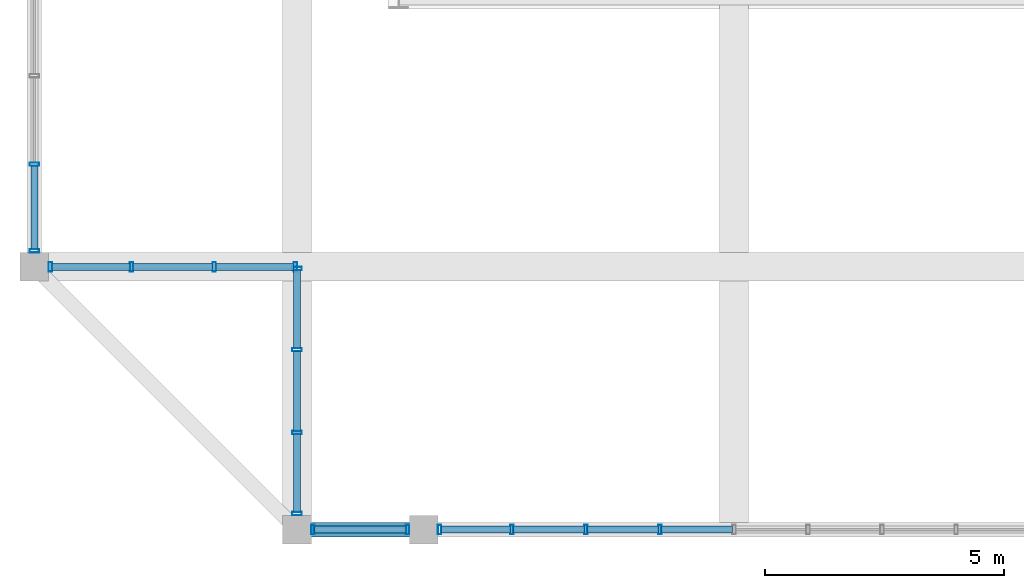
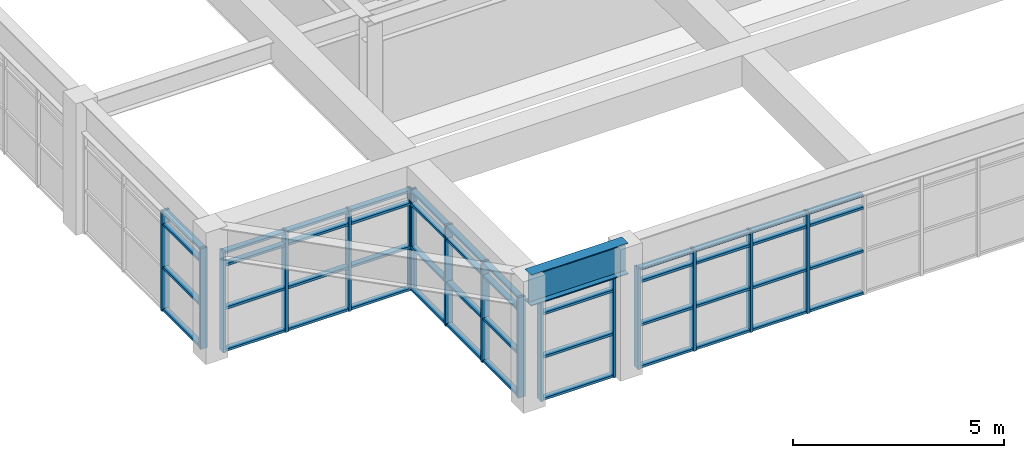
# One storey, part 2 of 28: 64 members, 1 beam, 5 elements without a shape of their own.
"""IFC4 building model written with IfcOpenShell, lengths in metres."""

from ifc_helpers import new_model, si_unit, direction, frame, origin, origin_2d, place, context, subcontext, project, spatial, hollow_rectangle, i_section, extrude, source, transform, mapped, material, layer, layer_set, material_profile, profile_set, type_object, element, aggregate, save


model = new_model("IFC4")

# Units and contexts
model_context = context("Model", 3, precision=1e-05, world=origin(), true_north=direction((0.0, 1.0)))
body_context = subcontext(model_context, "Body", "Model", "MODEL_VIEW")
ifc_project = project(units=[si_unit("LENGTHUNIT", "METRE"), si_unit("AREAUNIT", "SQUARE_METRE"), si_unit("VOLUMEUNIT", "CUBIC_METRE"), si_unit("PLANEANGLEUNIT", "RADIAN"), si_unit("MASSUNIT", "GRAM", prefix="KILO")], contexts=[model_context])

# Site, building, storey
site_placement = place(None, origin())
site = spatial("IfcSite", under=ifc_project, at=site_placement, CompositionType="ELEMENT")
building_placement = place(site_placement, origin())
building = spatial("IfcBuilding", under=site, at=building_placement, Name="Saelheon Loggia Tower", CompositionType="ELEMENT")
storey_placement = place(building_placement, frame((0.0, 0.0, 271.199951171875)))
storey = spatial("IfcBuildingStorey", under=building, at=storey_placement, Name="CR6", CompositionType="ELEMENT", Elevation=271.199951171875)

# Beam
ifc_material_1 = material(Name="Steel SM355", Category="steel")
ifc_material_profile_1 = material_profile(ifc_material_1, i_section(OverallWidth=0.300048828125, OverallDepth=0.89990234375, WebThickness=0.01611328125, FlangeThickness=0.028076171875, at=origin_2d()), Name="H-900x300x16x28")
ifc_profile_set_1 = profile_set([ifc_material_profile_1], Name="Steel SM355")
beam_type = type_object("IfcBeamType", Name="Beam_PoolGirder_Steel_H900", PredefinedType="BEAM", material=ifc_profile_set_1)
shared_shape_1 = source(origin(), body_context, "Body", "SweptSolid", [
    extrude(i_section(OverallWidth=0.300048828125, OverallDepth=0.89990234375, WebThickness=0.01611328125, FlangeThickness=0.028076171875, at=origin_2d()), origin(), (0.0, 0.0, 1.0), 2.64990234375),
])
beam_placement = place(storey_placement, frame((28.85009765625, 6.35009765625, 3.35009765625), z_axis=(1.0, 0.0, 0.0), x_axis=(0.0, 1.0, 0.0)))
element("IfcBeam", 1, at=beam_placement, inside=storey, type_object=beam_type, Name="CR6 CROWN FRAME Sill Girder 01", PredefinedType="BEAM", context=body_context, shape_type="MappedRepresentation", body=[
    mapped(shared_shape_1, transform((0.0, 0.0, 0.0), scale=1.0)),
])

# Curtain wall, members
ifc_material_2 = material(Name="Bronze-Anodised Aluminium and Fritted Ceramic Screen", Category="aluminium")
ifc_layer = layer(ifc_material_2, 0.219970703125)
ifc_layer_set = layer_set([ifc_layer], Name="Bronze-Anodised Aluminium and Fritted Ceramic Screen")
curtain_wall_type = type_object("IfcCurtainWallType", Name="CW_CrownScreen", PredefinedType="NOTDEFINED", material=ifc_layer_set)
curtain_wall_1_placement = place(storey_placement, origin())
curtain_wall_1 = element("IfcCurtainWall", 2, at=curtain_wall_1_placement, inside=storey, type_object=curtain_wall_type, Name="CR6 Crown Screen Curtain Wall 0-1", PredefinedType="NOTDEFINED")
ifc_material_3 = material(Name="Bronze-Anodised Aluminium 6063-T6", Category="aluminium")
ifc_material_profile_2 = material_profile(ifc_material_3, hollow_rectangle(XDim=0.070068359375, YDim=0.199951171875, WallThickness=0.0048828125, at=origin_2d()), Name="RHS-200x70x5")
ifc_profile_set_2 = profile_set([ifc_material_profile_2], Name="Bronze-Anodised Aluminium 6063-T6")
member_type_1 = type_object("IfcMemberType", Name="CW_CrownScreen_Mullion", PredefinedType="MULLION", material=ifc_profile_set_2)
shared_shape_2 = source(origin(), body_context, "Body", "SweptSolid", [
    extrude(hollow_rectangle(XDim=0.070068359375, YDim=0.199951171875, WallThickness=0.0048828125, at=origin_2d()), origin(), (0.0, 0.0, 1.0), 2.900146484375),
])
member_1_placement = place(storey_placement, frame((29.18505859375, 6.35009765625, 0.0), z_axis=(0.0, 0.0, 1.0), x_axis=(1.0, 0.0, 0.0)))
member_1 = element("IfcMember", 3, at=member_1_placement, type_object=member_type_1, Name="CW6 mullion 1", PredefinedType="MULLION", context=body_context, shape_type="MappedRepresentation", body=[
    mapped(shared_shape_2, transform((0.0, 0.0, 0.0), scale=1.0)),
])
member_2_placement = place(storey_placement, frame((31.1650390625, 6.35009765625, 0.0), z_axis=(0.0, 0.0, 1.0), x_axis=(1.0, 0.0, 0.0)))
member_2 = element("IfcMember", 4, at=member_2_placement, type_object=member_type_1, Name="CW6 mullion 2", PredefinedType="MULLION", context=body_context, shape_type="MappedRepresentation", body=[
    mapped(shared_shape_2, transform((0.0, 0.0, 0.0), scale=1.0)),
])

curtain_wall_2_placement = place(storey_placement, origin())
curtain_wall_2 = element("IfcCurtainWall", 5, at=curtain_wall_2_placement, inside=storey, type_object=curtain_wall_type, Name="CR6 Crown Screen Curtain Wall 0-2", PredefinedType="NOTDEFINED")
member_3_placement = place(storey_placement, frame((31.8349609375, 6.35009765625, 0.0), z_axis=(0.0, 0.0, 1.0), x_axis=(1.0, 0.0, 0.0)))
member_3 = element("IfcMember", 6, at=member_3_placement, type_object=member_type_1, Name="CW6 mullion 1", PredefinedType="MULLION", context=body_context, shape_type="MappedRepresentation", body=[
    mapped(shared_shape_2, transform((0.0, 0.0, 0.0), scale=1.0)),
])
member_4_placement = place(storey_placement, frame((33.35009765625, 6.35009765625, 0.0), z_axis=(0.0, 0.0, 1.0), x_axis=(1.0, 0.0, 0.0)))
member_4 = element("IfcMember", 7, at=member_4_placement, type_object=member_type_1, Name="CW6 mullion 2", PredefinedType="MULLION", context=body_context, shape_type="MappedRepresentation", body=[
    mapped(shared_shape_2, transform((0.0, 0.0, 0.0), scale=1.0)),
])
member_5_placement = place(storey_placement, frame((34.89990234375, 6.35009765625, 0.0), z_axis=(0.0, 0.0, 1.0), x_axis=(1.0, 0.0, 0.0)))
member_5 = element("IfcMember", 8, at=member_5_placement, type_object=member_type_1, Name="CW6 mullion 3", PredefinedType="MULLION", context=body_context, shape_type="MappedRepresentation", body=[
    mapped(shared_shape_2, transform((0.0, 0.0, 0.0), scale=1.0)),
])
member_6_placement = place(storey_placement, frame((36.449951171875, 6.35009765625, 0.0), z_axis=(0.0, 0.0, 1.0), x_axis=(1.0, 0.0, 0.0)))
member_6 = element("IfcMember", 9, at=member_6_placement, type_object=member_type_1, Name="CW6 mullion 4", PredefinedType="MULLION", context=body_context, shape_type="MappedRepresentation", body=[
    mapped(shared_shape_2, transform((0.0, 0.0, 0.0), scale=1.0)),
])

curtain_wall_3_placement = place(storey_placement, origin())
curtain_wall_3 = element("IfcCurtainWall", 10, at=curtain_wall_3_placement, inside=storey, type_object=curtain_wall_type, Name="CR6 Crown Screen Curtain Wall 9-3", PredefinedType="NOTDEFINED")
member_7_placement = place(storey_placement, frame((23.35009765625, 14.0, 0.0), z_axis=(0.0, 0.0, 1.0), x_axis=(0.0, -1.0, 0.0)))
member_7 = element("IfcMember", 11, at=member_7_placement, type_object=member_type_1, Name="CW6 mullion 3", PredefinedType="MULLION", context=body_context, shape_type="MappedRepresentation", body=[
    mapped(shared_shape_2, transform((0.0, 0.0, 0.0), scale=1.0)),
])
member_8_placement = place(storey_placement, frame((23.35009765625, 12.18505859375, 0.0), z_axis=(0.0, 0.0, 1.0), x_axis=(0.0, -1.0, 0.0)))
member_8 = element("IfcMember", 12, at=member_8_placement, type_object=member_type_1, Name="CW6 mullion 4", PredefinedType="MULLION", context=body_context, shape_type="MappedRepresentation", body=[
    mapped(shared_shape_2, transform((0.0, 0.0, 0.0), scale=1.0)),
])

curtain_wall_4_placement = place(storey_placement, origin())
curtain_wall_4 = element("IfcCurtainWall", 13, at=curtain_wall_4_placement, inside=storey, type_object=curtain_wall_type, Name="CR6 Crown Screen Curtain Wall 10-1", PredefinedType="NOTDEFINED")
member_9_placement = place(storey_placement, frame((23.68505859375, 11.85009765625, 0.0), z_axis=(0.0, 0.0, 1.0), x_axis=(1.0, 0.0, 0.0)))
member_9 = element("IfcMember", 14, at=member_9_placement, type_object=member_type_1, Name="CW6 mullion 1", PredefinedType="MULLION", context=body_context, shape_type="MappedRepresentation", body=[
    mapped(shared_shape_2, transform((0.0, 0.0, 0.0), scale=1.0)),
])
member_10_placement = place(storey_placement, frame((25.38330078125, 11.85009765625, 0.0), z_axis=(0.0, 0.0, 1.0), x_axis=(1.0, 0.0, 0.0)))
member_10 = element("IfcMember", 15, at=member_10_placement, type_object=member_type_1, Name="CW6 mullion 2", PredefinedType="MULLION", context=body_context, shape_type="MappedRepresentation", body=[
    mapped(shared_shape_2, transform((0.0, 0.0, 0.0), scale=1.0)),
])
member_11_placement = place(storey_placement, frame((27.11669921875, 11.85009765625, 0.0), z_axis=(0.0, 0.0, 1.0), x_axis=(1.0, 0.0, 0.0)))
member_11 = element("IfcMember", 16, at=member_11_placement, type_object=member_type_1, Name="CW6 mullion 3", PredefinedType="MULLION", context=body_context, shape_type="MappedRepresentation", body=[
    mapped(shared_shape_2, transform((0.0, 0.0, 0.0), scale=1.0)),
])
member_12_placement = place(storey_placement, frame((28.81494140625, 11.85009765625, 0.0), z_axis=(0.0, 0.0, 1.0), x_axis=(1.0, 0.0, 0.0)))
member_12 = element("IfcMember", 17, at=member_12_placement, type_object=member_type_1, Name="CW6 mullion 4", PredefinedType="MULLION", context=body_context, shape_type="MappedRepresentation", body=[
    mapped(shared_shape_2, transform((0.0, 0.0, 0.0), scale=1.0)),
])

curtain_wall_5_placement = place(storey_placement, origin())
curtain_wall_5 = element("IfcCurtainWall", 18, at=curtain_wall_5_placement, inside=storey, type_object=curtain_wall_type, Name="CR6 Crown Screen Curtain Wall 11-1", PredefinedType="NOTDEFINED")
member_13_placement = place(storey_placement, frame((28.85009765625, 11.81494140625, 0.0), z_axis=(0.0, 0.0, 1.0), x_axis=(0.0, -1.0, 0.0)))
member_13 = element("IfcMember", 19, at=member_13_placement, type_object=member_type_1, Name="CW6 mullion 1", PredefinedType="MULLION", context=body_context, shape_type="MappedRepresentation", body=[
    mapped(shared_shape_2, transform((0.0, 0.0, 0.0), scale=1.0)),
])
member_14_placement = place(storey_placement, frame((28.85009765625, 10.11669921875, 0.0), z_axis=(0.0, 0.0, 1.0), x_axis=(0.0, -1.0, 0.0)))
member_14 = element("IfcMember", 20, at=member_14_placement, type_object=member_type_1, Name="CW6 mullion 2", PredefinedType="MULLION", context=body_context, shape_type="MappedRepresentation", body=[
    mapped(shared_shape_2, transform((0.0, 0.0, 0.0), scale=1.0)),
])
member_15_placement = place(storey_placement, frame((28.85009765625, 8.38330078125, 0.0), z_axis=(0.0, 0.0, 1.0), x_axis=(0.0, -1.0, 0.0)))
member_15 = element("IfcMember", 21, at=member_15_placement, type_object=member_type_1, Name="CW6 mullion 3", PredefinedType="MULLION", context=body_context, shape_type="MappedRepresentation", body=[
    mapped(shared_shape_2, transform((0.0, 0.0, 0.0), scale=1.0)),
])
member_16_placement = place(storey_placement, frame((28.85009765625, 6.68505859375, 0.0), z_axis=(0.0, 0.0, 1.0), x_axis=(0.0, -1.0, 0.0)))
member_16 = element("IfcMember", 22, at=member_16_placement, type_object=member_type_1, Name="CW6 mullion 4", PredefinedType="MULLION", context=body_context, shape_type="MappedRepresentation", body=[
    mapped(shared_shape_2, transform((0.0, 0.0, 0.0), scale=1.0)),
])

# Member
ifc_material_profile_3 = material_profile(ifc_material_3, hollow_rectangle(XDim=0.070068359375, YDim=0.14990234375, WallThickness=0.0048828125, at=origin_2d()), Name="RHS-150x70x5")
ifc_profile_set_3 = profile_set([ifc_material_profile_3], Name="Bronze-Anodised Aluminium 6063-T6")
member_type_2 = type_object("IfcMemberType", Name="CW_CrownScreen_Transom", PredefinedType="USERDEFINED", material=ifc_profile_set_3)
shared_shape_3 = source(origin(), body_context, "Body", "SweptSolid", [
    extrude(hollow_rectangle(XDim=0.070068359375, YDim=0.14990234375, WallThickness=0.0048828125, at=origin_2d()), origin(), (0.0, 0.0, 1.0), 1.909912109375),
])
member_17_placement = place(storey_placement, frame((29.219970703125, 6.35009765625, 0.03515625), z_axis=(1.0, 0.0, 0.0), x_axis=(0.0, 0.0, 1.0)))
member_17 = element("IfcMember", 23, at=member_17_placement, type_object=member_type_2, Name="CW6 transom 1.1", ObjectType="TRANSOM", PredefinedType="USERDEFINED", context=body_context, shape_type="MappedRepresentation", body=[
    mapped(shared_shape_3, transform((0.0, 0.0, 0.0), scale=1.0)),
])

member_18_placement = place(storey_placement, frame((29.219970703125, 6.35009765625, 1.25), z_axis=(1.0, 0.0, 0.0), x_axis=(0.0, 0.0, 1.0)))
member_18 = element("IfcMember", 24, at=member_18_placement, type_object=member_type_2, Name="CW6 transom 1.2", ObjectType="TRANSOM", PredefinedType="USERDEFINED", context=body_context, shape_type="MappedRepresentation", body=[
    mapped(shared_shape_3, transform((0.0, 0.0, 0.0), scale=1.0)),
])

member_19_placement = place(storey_placement, frame((29.219970703125, 6.35009765625, 2.5), z_axis=(1.0, 0.0, 0.0), x_axis=(0.0, 0.0, 1.0)))
member_19 = element("IfcMember", 25, at=member_19_placement, type_object=member_type_2, Name="CW6 transom 1.3", ObjectType="TRANSOM", PredefinedType="USERDEFINED", context=body_context, shape_type="MappedRepresentation", body=[
    mapped(shared_shape_3, transform((0.0, 0.0, 0.0), scale=1.0)),
])

member_20_placement = place(storey_placement, frame((29.219970703125, 6.35009765625, 2.864990234375), z_axis=(1.0, 0.0, 0.0), x_axis=(0.0, 0.0, 1.0)))
member_20 = element("IfcMember", 26, at=member_20_placement, type_object=member_type_2, Name="CW6 transom 1.4", ObjectType="TRANSOM", PredefinedType="USERDEFINED", context=body_context, shape_type="MappedRepresentation", body=[
    mapped(shared_shape_3, transform((0.0, 0.0, 0.0), scale=1.0)),
])

aggregate(curtain_wall_1, [member_1, member_2, member_17, member_18, member_19, member_20])

shared_shape_4 = source(origin(), body_context, "Body", "SweptSolid", [
    extrude(hollow_rectangle(XDim=0.070068359375, YDim=0.14990234375, WallThickness=0.0048828125, at=origin_2d()), origin(), (0.0, 0.0, 1.0), 1.44482421875),
])
member_21_placement = place(storey_placement, frame((31.8701171875, 6.35009765625, 0.03515625), z_axis=(1.0, 0.0, 0.0), x_axis=(0.0, 0.0, 1.0)))
member_21 = element("IfcMember", 27, at=member_21_placement, type_object=member_type_2, Name="CW6 transom 1.1", ObjectType="TRANSOM", PredefinedType="USERDEFINED", context=body_context, shape_type="MappedRepresentation", body=[
    mapped(shared_shape_4, transform((0.0, 0.0, 0.0), scale=1.0)),
])

member_22_placement = place(storey_placement, frame((31.8701171875, 6.35009765625, 1.25), z_axis=(1.0, 0.0, 0.0), x_axis=(0.0, 0.0, 1.0)))
member_22 = element("IfcMember", 28, at=member_22_placement, type_object=member_type_2, Name="CW6 transom 1.2", ObjectType="TRANSOM", PredefinedType="USERDEFINED", context=body_context, shape_type="MappedRepresentation", body=[
    mapped(shared_shape_4, transform((0.0, 0.0, 0.0), scale=1.0)),
])

member_23_placement = place(storey_placement, frame((31.8701171875, 6.35009765625, 2.5), z_axis=(1.0, 0.0, 0.0), x_axis=(0.0, 0.0, 1.0)))
member_23 = element("IfcMember", 29, at=member_23_placement, type_object=member_type_2, Name="CW6 transom 1.3", ObjectType="TRANSOM", PredefinedType="USERDEFINED", context=body_context, shape_type="MappedRepresentation", body=[
    mapped(shared_shape_4, transform((0.0, 0.0, 0.0), scale=1.0)),
])

member_24_placement = place(storey_placement, frame((31.8701171875, 6.35009765625, 2.864990234375), z_axis=(1.0, 0.0, 0.0), x_axis=(0.0, 0.0, 1.0)))
member_24 = element("IfcMember", 30, at=member_24_placement, type_object=member_type_2, Name="CW6 transom 1.4", ObjectType="TRANSOM", PredefinedType="USERDEFINED", context=body_context, shape_type="MappedRepresentation", body=[
    mapped(shared_shape_4, transform((0.0, 0.0, 0.0), scale=1.0)),
])

shared_shape_5 = source(origin(), body_context, "Body", "SweptSolid", [
    extrude(hollow_rectangle(XDim=0.070068359375, YDim=0.14990234375, WallThickness=0.0048828125, at=origin_2d()), origin(), (0.0, 0.0, 1.0), 1.47998046875),
])
member_25_placement = place(storey_placement, frame((33.385009765625, 6.35009765625, 0.03515625), z_axis=(1.0, 0.0, 0.0), x_axis=(0.0, 0.0, 1.0)))
member_25 = element("IfcMember", 31, at=member_25_placement, type_object=member_type_2, Name="CW6 transom 2.1", ObjectType="TRANSOM", PredefinedType="USERDEFINED", context=body_context, shape_type="MappedRepresentation", body=[
    mapped(shared_shape_5, transform((0.0, 0.0, 0.0), scale=1.0)),
])

member_26_placement = place(storey_placement, frame((33.385009765625, 6.35009765625, 1.25), z_axis=(1.0, 0.0, 0.0), x_axis=(0.0, 0.0, 1.0)))
member_26 = element("IfcMember", 32, at=member_26_placement, type_object=member_type_2, Name="CW6 transom 2.2", ObjectType="TRANSOM", PredefinedType="USERDEFINED", context=body_context, shape_type="MappedRepresentation", body=[
    mapped(shared_shape_5, transform((0.0, 0.0, 0.0), scale=1.0)),
])

member_27_placement = place(storey_placement, frame((33.385009765625, 6.35009765625, 2.5), z_axis=(1.0, 0.0, 0.0), x_axis=(0.0, 0.0, 1.0)))
member_27 = element("IfcMember", 33, at=member_27_placement, type_object=member_type_2, Name="CW6 transom 2.3", ObjectType="TRANSOM", PredefinedType="USERDEFINED", context=body_context, shape_type="MappedRepresentation", body=[
    mapped(shared_shape_5, transform((0.0, 0.0, 0.0), scale=1.0)),
])

member_28_placement = place(storey_placement, frame((33.385009765625, 6.35009765625, 2.864990234375), z_axis=(1.0, 0.0, 0.0), x_axis=(0.0, 0.0, 1.0)))
member_28 = element("IfcMember", 34, at=member_28_placement, type_object=member_type_2, Name="CW6 transom 2.4", ObjectType="TRANSOM", PredefinedType="USERDEFINED", context=body_context, shape_type="MappedRepresentation", body=[
    mapped(shared_shape_5, transform((0.0, 0.0, 0.0), scale=1.0)),
])

member_29_placement = place(storey_placement, frame((34.93505859375, 6.35009765625, 0.03515625), z_axis=(1.0, 0.0, 0.0), x_axis=(0.0, 0.0, 1.0)))
member_29 = element("IfcMember", 35, at=member_29_placement, type_object=member_type_2, Name="CW6 transom 3.1", ObjectType="TRANSOM", PredefinedType="USERDEFINED", context=body_context, shape_type="MappedRepresentation", body=[
    mapped(shared_shape_5, transform((0.0, 0.0, 0.0), scale=1.0)),
])

member_30_placement = place(storey_placement, frame((34.93505859375, 6.35009765625, 1.25), z_axis=(1.0, 0.0, 0.0), x_axis=(0.0, 0.0, 1.0)))
member_30 = element("IfcMember", 36, at=member_30_placement, type_object=member_type_2, Name="CW6 transom 3.2", ObjectType="TRANSOM", PredefinedType="USERDEFINED", context=body_context, shape_type="MappedRepresentation", body=[
    mapped(shared_shape_5, transform((0.0, 0.0, 0.0), scale=1.0)),
])

member_31_placement = place(storey_placement, frame((34.93505859375, 6.35009765625, 2.5), z_axis=(1.0, 0.0, 0.0), x_axis=(0.0, 0.0, 1.0)))
member_31 = element("IfcMember", 37, at=member_31_placement, type_object=member_type_2, Name="CW6 transom 3.3", ObjectType="TRANSOM", PredefinedType="USERDEFINED", context=body_context, shape_type="MappedRepresentation", body=[
    mapped(shared_shape_5, transform((0.0, 0.0, 0.0), scale=1.0)),
])

member_32_placement = place(storey_placement, frame((34.93505859375, 6.35009765625, 2.864990234375), z_axis=(1.0, 0.0, 0.0), x_axis=(0.0, 0.0, 1.0)))
member_32 = element("IfcMember", 38, at=member_32_placement, type_object=member_type_2, Name="CW6 transom 3.4", ObjectType="TRANSOM", PredefinedType="USERDEFINED", context=body_context, shape_type="MappedRepresentation", body=[
    mapped(shared_shape_5, transform((0.0, 0.0, 0.0), scale=1.0)),
])

member_33_placement = place(storey_placement, frame((36.485107421875, 6.35009765625, 0.03515625), z_axis=(1.0, 0.0, 0.0), x_axis=(0.0, 0.0, 1.0)))
member_33 = element("IfcMember", 39, at=member_33_placement, type_object=member_type_2, Name="CW6 transom 4.1", ObjectType="TRANSOM", PredefinedType="USERDEFINED", context=body_context, shape_type="MappedRepresentation", body=[
    mapped(shared_shape_5, transform((0.0, 0.0, 0.0), scale=1.0)),
])

member_34_placement = place(storey_placement, frame((36.485107421875, 6.35009765625, 1.25), z_axis=(1.0, 0.0, 0.0), x_axis=(0.0, 0.0, 1.0)))
member_34 = element("IfcMember", 40, at=member_34_placement, type_object=member_type_2, Name="CW6 transom 4.2", ObjectType="TRANSOM", PredefinedType="USERDEFINED", context=body_context, shape_type="MappedRepresentation", body=[
    mapped(shared_shape_5, transform((0.0, 0.0, 0.0), scale=1.0)),
])

member_35_placement = place(storey_placement, frame((36.485107421875, 6.35009765625, 2.5), z_axis=(1.0, 0.0, 0.0), x_axis=(0.0, 0.0, 1.0)))
member_35 = element("IfcMember", 41, at=member_35_placement, type_object=member_type_2, Name="CW6 transom 4.3", ObjectType="TRANSOM", PredefinedType="USERDEFINED", context=body_context, shape_type="MappedRepresentation", body=[
    mapped(shared_shape_5, transform((0.0, 0.0, 0.0), scale=1.0)),
])

member_36_placement = place(storey_placement, frame((36.485107421875, 6.35009765625, 2.864990234375), z_axis=(1.0, 0.0, 0.0), x_axis=(0.0, 0.0, 1.0)))
member_36 = element("IfcMember", 42, at=member_36_placement, type_object=member_type_2, Name="CW6 transom 4.4", ObjectType="TRANSOM", PredefinedType="USERDEFINED", context=body_context, shape_type="MappedRepresentation", body=[
    mapped(shared_shape_5, transform((0.0, 0.0, 0.0), scale=1.0)),
])

aggregate(curtain_wall_2, [member_3, member_4, member_5, member_6, member_21, member_22, member_23, member_24, member_25, member_26, member_27, member_28, member_29, member_30, member_31, member_32, member_33, member_34, member_35, member_36])

shared_shape_6 = source(origin(), body_context, "Body", "SweptSolid", [
    extrude(hollow_rectangle(XDim=0.070068359375, YDim=0.14990234375, WallThickness=0.0048828125, at=origin_2d()), origin(), (0.0, 0.0, 1.0), 1.62841796875),
])
member_37_placement = place(storey_placement, frame((23.719970703125, 11.85009765625, 0.03515625), z_axis=(1.0, 0.0, 0.0), x_axis=(0.0, 0.0, 1.0)))
member_37 = element("IfcMember", 43, at=member_37_placement, type_object=member_type_2, Name="CW6 transom 1.1", ObjectType="TRANSOM", PredefinedType="USERDEFINED", context=body_context, shape_type="MappedRepresentation", body=[
    mapped(shared_shape_6, transform((0.0, 0.0, 0.0), scale=1.0)),
])

member_38_placement = place(storey_placement, frame((23.719970703125, 11.85009765625, 1.25), z_axis=(1.0, 0.0, 0.0), x_axis=(0.0, 0.0, 1.0)))
member_38 = element("IfcMember", 44, at=member_38_placement, type_object=member_type_2, Name="CW6 transom 1.2", ObjectType="TRANSOM", PredefinedType="USERDEFINED", context=body_context, shape_type="MappedRepresentation", body=[
    mapped(shared_shape_6, transform((0.0, 0.0, 0.0), scale=1.0)),
])

member_39_placement = place(storey_placement, frame((23.719970703125, 11.85009765625, 2.5), z_axis=(1.0, 0.0, 0.0), x_axis=(0.0, 0.0, 1.0)))
member_39 = element("IfcMember", 45, at=member_39_placement, type_object=member_type_2, Name="CW6 transom 1.3", ObjectType="TRANSOM", PredefinedType="USERDEFINED", context=body_context, shape_type="MappedRepresentation", body=[
    mapped(shared_shape_6, transform((0.0, 0.0, 0.0), scale=1.0)),
])

member_40_placement = place(storey_placement, frame((23.719970703125, 11.85009765625, 2.864990234375), z_axis=(1.0, 0.0, 0.0), x_axis=(0.0, 0.0, 1.0)))
member_40 = element("IfcMember", 46, at=member_40_placement, type_object=member_type_2, Name="CW6 transom 1.4", ObjectType="TRANSOM", PredefinedType="USERDEFINED", context=body_context, shape_type="MappedRepresentation", body=[
    mapped(shared_shape_6, transform((0.0, 0.0, 0.0), scale=1.0)),
])

member_41_placement = place(storey_placement, frame((27.151611328125, 11.85009765625, 0.03515625), z_axis=(1.0, 0.0, 0.0), x_axis=(0.0, 0.0, 1.0)))
member_41 = element("IfcMember", 47, at=member_41_placement, type_object=member_type_2, Name="CW6 transom 3.1", ObjectType="TRANSOM", PredefinedType="USERDEFINED", context=body_context, shape_type="MappedRepresentation", body=[
    mapped(shared_shape_6, transform((0.0, 0.0, 0.0), scale=1.0)),
])

member_42_placement = place(storey_placement, frame((27.151611328125, 11.85009765625, 1.25), z_axis=(1.0, 0.0, 0.0), x_axis=(0.0, 0.0, 1.0)))
member_42 = element("IfcMember", 48, at=member_42_placement, type_object=member_type_2, Name="CW6 transom 3.2", ObjectType="TRANSOM", PredefinedType="USERDEFINED", context=body_context, shape_type="MappedRepresentation", body=[
    mapped(shared_shape_6, transform((0.0, 0.0, 0.0), scale=1.0)),
])

member_43_placement = place(storey_placement, frame((27.151611328125, 11.85009765625, 2.5), z_axis=(1.0, 0.0, 0.0), x_axis=(0.0, 0.0, 1.0)))
member_43 = element("IfcMember", 49, at=member_43_placement, type_object=member_type_2, Name="CW6 transom 3.3", ObjectType="TRANSOM", PredefinedType="USERDEFINED", context=body_context, shape_type="MappedRepresentation", body=[
    mapped(shared_shape_6, transform((0.0, 0.0, 0.0), scale=1.0)),
])

member_44_placement = place(storey_placement, frame((27.151611328125, 11.85009765625, 2.864990234375), z_axis=(1.0, 0.0, 0.0), x_axis=(0.0, 0.0, 1.0)))
member_44 = element("IfcMember", 50, at=member_44_placement, type_object=member_type_2, Name="CW6 transom 3.4", ObjectType="TRANSOM", PredefinedType="USERDEFINED", context=body_context, shape_type="MappedRepresentation", body=[
    mapped(shared_shape_6, transform((0.0, 0.0, 0.0), scale=1.0)),
])

member_45_placement = place(storey_placement, frame((28.85009765625, 11.780029296875, 0.03515625), z_axis=(0.0, -1.0, 0.0), x_axis=(0.0, 0.0, 1.0)))
member_45 = element("IfcMember", 51, at=member_45_placement, type_object=member_type_2, Name="CW6 transom 1.1", ObjectType="TRANSOM", PredefinedType="USERDEFINED", context=body_context, shape_type="MappedRepresentation", body=[
    mapped(shared_shape_6, transform((0.0, 0.0, 0.0), scale=1.0)),
])

member_46_placement = place(storey_placement, frame((28.85009765625, 11.780029296875, 1.25), z_axis=(0.0, -1.0, 0.0), x_axis=(0.0, 0.0, 1.0)))
member_46 = element("IfcMember", 52, at=member_46_placement, type_object=member_type_2, Name="CW6 transom 1.2", ObjectType="TRANSOM", PredefinedType="USERDEFINED", context=body_context, shape_type="MappedRepresentation", body=[
    mapped(shared_shape_6, transform((0.0, 0.0, 0.0), scale=1.0)),
])

member_47_placement = place(storey_placement, frame((28.85009765625, 11.780029296875, 2.5), z_axis=(0.0, -1.0, 0.0), x_axis=(0.0, 0.0, 1.0)))
member_47 = element("IfcMember", 53, at=member_47_placement, type_object=member_type_2, Name="CW6 transom 1.3", ObjectType="TRANSOM", PredefinedType="USERDEFINED", context=body_context, shape_type="MappedRepresentation", body=[
    mapped(shared_shape_6, transform((0.0, 0.0, 0.0), scale=1.0)),
])

member_48_placement = place(storey_placement, frame((28.85009765625, 11.780029296875, 2.864990234375), z_axis=(0.0, -1.0, 0.0), x_axis=(0.0, 0.0, 1.0)))
member_48 = element("IfcMember", 54, at=member_48_placement, type_object=member_type_2, Name="CW6 transom 1.4", ObjectType="TRANSOM", PredefinedType="USERDEFINED", context=body_context, shape_type="MappedRepresentation", body=[
    mapped(shared_shape_6, transform((0.0, 0.0, 0.0), scale=1.0)),
])

member_49_placement = place(storey_placement, frame((28.85009765625, 8.348388671875, 0.03515625), z_axis=(0.0, -1.0, 0.0), x_axis=(0.0, 0.0, 1.0)))
member_49 = element("IfcMember", 55, at=member_49_placement, type_object=member_type_2, Name="CW6 transom 3.1", ObjectType="TRANSOM", PredefinedType="USERDEFINED", context=body_context, shape_type="MappedRepresentation", body=[
    mapped(shared_shape_6, transform((0.0, 0.0, 0.0), scale=1.0)),
])

member_50_placement = place(storey_placement, frame((28.85009765625, 8.348388671875, 1.25), z_axis=(0.0, -1.0, 0.0), x_axis=(0.0, 0.0, 1.0)))
member_50 = element("IfcMember", 56, at=member_50_placement, type_object=member_type_2, Name="CW6 transom 3.2", ObjectType="TRANSOM", PredefinedType="USERDEFINED", context=body_context, shape_type="MappedRepresentation", body=[
    mapped(shared_shape_6, transform((0.0, 0.0, 0.0), scale=1.0)),
])

member_51_placement = place(storey_placement, frame((28.85009765625, 8.348388671875, 2.5), z_axis=(0.0, -1.0, 0.0), x_axis=(0.0, 0.0, 1.0)))
member_51 = element("IfcMember", 57, at=member_51_placement, type_object=member_type_2, Name="CW6 transom 3.3", ObjectType="TRANSOM", PredefinedType="USERDEFINED", context=body_context, shape_type="MappedRepresentation", body=[
    mapped(shared_shape_6, transform((0.0, 0.0, 0.0), scale=1.0)),
])

member_52_placement = place(storey_placement, frame((28.85009765625, 8.348388671875, 2.864990234375), z_axis=(0.0, -1.0, 0.0), x_axis=(0.0, 0.0, 1.0)))
member_52 = element("IfcMember", 58, at=member_52_placement, type_object=member_type_2, Name="CW6 transom 3.4", ObjectType="TRANSOM", PredefinedType="USERDEFINED", context=body_context, shape_type="MappedRepresentation", body=[
    mapped(shared_shape_6, transform((0.0, 0.0, 0.0), scale=1.0)),
])

shared_shape_7 = source(origin(), body_context, "Body", "SweptSolid", [
    extrude(hollow_rectangle(XDim=0.070068359375, YDim=0.14990234375, WallThickness=0.0048828125, at=origin_2d()), origin(), (0.0, 0.0, 1.0), 1.66357421875),
])
member_53_placement = place(storey_placement, frame((25.418212890625, 11.85009765625, 0.03515625), z_axis=(1.0, 0.0, 0.0), x_axis=(0.0, 0.0, 1.0)))
member_53 = element("IfcMember", 59, at=member_53_placement, type_object=member_type_2, Name="CW6 transom 2.1", ObjectType="TRANSOM", PredefinedType="USERDEFINED", context=body_context, shape_type="MappedRepresentation", body=[
    mapped(shared_shape_7, transform((0.0, 0.0, 0.0), scale=1.0)),
])

member_54_placement = place(storey_placement, frame((25.418212890625, 11.85009765625, 1.25), z_axis=(1.0, 0.0, 0.0), x_axis=(0.0, 0.0, 1.0)))
member_54 = element("IfcMember", 60, at=member_54_placement, type_object=member_type_2, Name="CW6 transom 2.2", ObjectType="TRANSOM", PredefinedType="USERDEFINED", context=body_context, shape_type="MappedRepresentation", body=[
    mapped(shared_shape_7, transform((0.0, 0.0, 0.0), scale=1.0)),
])

member_55_placement = place(storey_placement, frame((25.418212890625, 11.85009765625, 2.5), z_axis=(1.0, 0.0, 0.0), x_axis=(0.0, 0.0, 1.0)))
member_55 = element("IfcMember", 61, at=member_55_placement, type_object=member_type_2, Name="CW6 transom 2.3", ObjectType="TRANSOM", PredefinedType="USERDEFINED", context=body_context, shape_type="MappedRepresentation", body=[
    mapped(shared_shape_7, transform((0.0, 0.0, 0.0), scale=1.0)),
])

member_56_placement = place(storey_placement, frame((25.418212890625, 11.85009765625, 2.864990234375), z_axis=(1.0, 0.0, 0.0), x_axis=(0.0, 0.0, 1.0)))
member_56 = element("IfcMember", 62, at=member_56_placement, type_object=member_type_2, Name="CW6 transom 2.4", ObjectType="TRANSOM", PredefinedType="USERDEFINED", context=body_context, shape_type="MappedRepresentation", body=[
    mapped(shared_shape_7, transform((0.0, 0.0, 0.0), scale=1.0)),
])

aggregate(curtain_wall_4, [member_9, member_10, member_11, member_12, member_37, member_38, member_39, member_40, member_53, member_54, member_55, member_56, member_41, member_42, member_43, member_44])

member_57_placement = place(storey_placement, frame((28.85009765625, 10.081787109375, 0.03515625), z_axis=(0.0, -1.0, 0.0), x_axis=(0.0, 0.0, 1.0)))
member_57 = element("IfcMember", 63, at=member_57_placement, type_object=member_type_2, Name="CW6 transom 2.1", ObjectType="TRANSOM", PredefinedType="USERDEFINED", context=body_context, shape_type="MappedRepresentation", body=[
    mapped(shared_shape_7, transform((0.0, 0.0, 0.0), scale=1.0)),
])

member_58_placement = place(storey_placement, frame((28.85009765625, 10.081787109375, 1.25), z_axis=(0.0, -1.0, 0.0), x_axis=(0.0, 0.0, 1.0)))
member_58 = element("IfcMember", 64, at=member_58_placement, type_object=member_type_2, Name="CW6 transom 2.2", ObjectType="TRANSOM", PredefinedType="USERDEFINED", context=body_context, shape_type="MappedRepresentation", body=[
    mapped(shared_shape_7, transform((0.0, 0.0, 0.0), scale=1.0)),
])

member_59_placement = place(storey_placement, frame((28.85009765625, 10.081787109375, 2.5), z_axis=(0.0, -1.0, 0.0), x_axis=(0.0, 0.0, 1.0)))
member_59 = element("IfcMember", 65, at=member_59_placement, type_object=member_type_2, Name="CW6 transom 2.3", ObjectType="TRANSOM", PredefinedType="USERDEFINED", context=body_context, shape_type="MappedRepresentation", body=[
    mapped(shared_shape_7, transform((0.0, 0.0, 0.0), scale=1.0)),
])

member_60_placement = place(storey_placement, frame((28.85009765625, 10.081787109375, 2.864990234375), z_axis=(0.0, -1.0, 0.0), x_axis=(0.0, 0.0, 1.0)))
member_60 = element("IfcMember", 66, at=member_60_placement, type_object=member_type_2, Name="CW6 transom 2.4", ObjectType="TRANSOM", PredefinedType="USERDEFINED", context=body_context, shape_type="MappedRepresentation", body=[
    mapped(shared_shape_7, transform((0.0, 0.0, 0.0), scale=1.0)),
])

aggregate(curtain_wall_5, [member_13, member_14, member_15, member_16, member_45, member_46, member_47, member_48, member_57, member_58, member_59, member_60, member_49, member_50, member_51, member_52])

shared_shape_8 = source(origin(), body_context, "Body", "SweptSolid", [
    extrude(hollow_rectangle(XDim=0.070068359375, YDim=0.14990234375, WallThickness=0.0048828125, at=origin_2d()), origin(), (0.0, 0.0, 1.0), 1.7451171875),
])
member_61_placement = place(storey_placement, frame((23.35009765625, 13.965087890625, 0.03515625), z_axis=(0.0, -1.0, 0.0), x_axis=(0.0, 0.0, 1.0)))
member_61 = element("IfcMember", 67, at=member_61_placement, type_object=member_type_2, Name="CW6 transom 3.1", ObjectType="TRANSOM", PredefinedType="USERDEFINED", context=body_context, shape_type="MappedRepresentation", body=[
    mapped(shared_shape_8, transform((0.0, 0.0, 0.0), scale=1.0)),
])

member_62_placement = place(storey_placement, frame((23.35009765625, 13.965087890625, 1.25), z_axis=(0.0, -1.0, 0.0), x_axis=(0.0, 0.0, 1.0)))
member_62 = element("IfcMember", 68, at=member_62_placement, type_object=member_type_2, Name="CW6 transom 3.2", ObjectType="TRANSOM", PredefinedType="USERDEFINED", context=body_context, shape_type="MappedRepresentation", body=[
    mapped(shared_shape_8, transform((0.0, 0.0, 0.0), scale=1.0)),
])

member_63_placement = place(storey_placement, frame((23.35009765625, 13.965087890625, 2.5), z_axis=(0.0, -1.0, 0.0), x_axis=(0.0, 0.0, 1.0)))
member_63 = element("IfcMember", 69, at=member_63_placement, type_object=member_type_2, Name="CW6 transom 3.3", ObjectType="TRANSOM", PredefinedType="USERDEFINED", context=body_context, shape_type="MappedRepresentation", body=[
    mapped(shared_shape_8, transform((0.0, 0.0, 0.0), scale=1.0)),
])

member_64_placement = place(storey_placement, frame((23.35009765625, 13.965087890625, 2.864990234375), z_axis=(0.0, -1.0, 0.0), x_axis=(0.0, 0.0, 1.0)))
member_64 = element("IfcMember", 70, at=member_64_placement, type_object=member_type_2, Name="CW6 transom 3.4", ObjectType="TRANSOM", PredefinedType="USERDEFINED", context=body_context, shape_type="MappedRepresentation", body=[
    mapped(shared_shape_8, transform((0.0, 0.0, 0.0), scale=1.0)),
])

aggregate(curtain_wall_3, [member_7, member_8, member_61, member_62, member_63, member_64])

save(model, "model.ifc")
